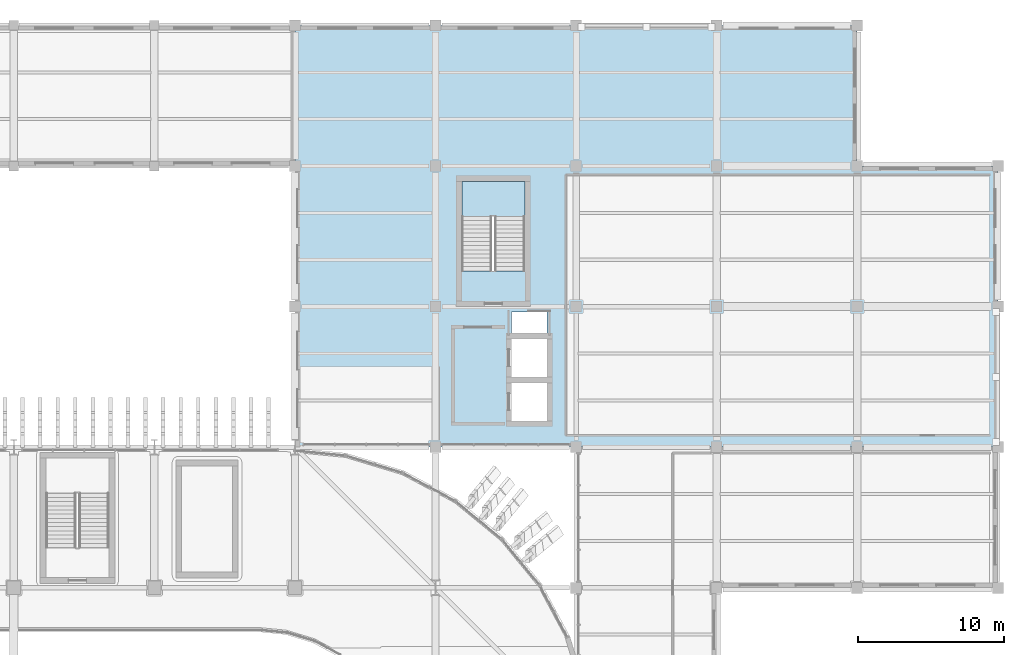
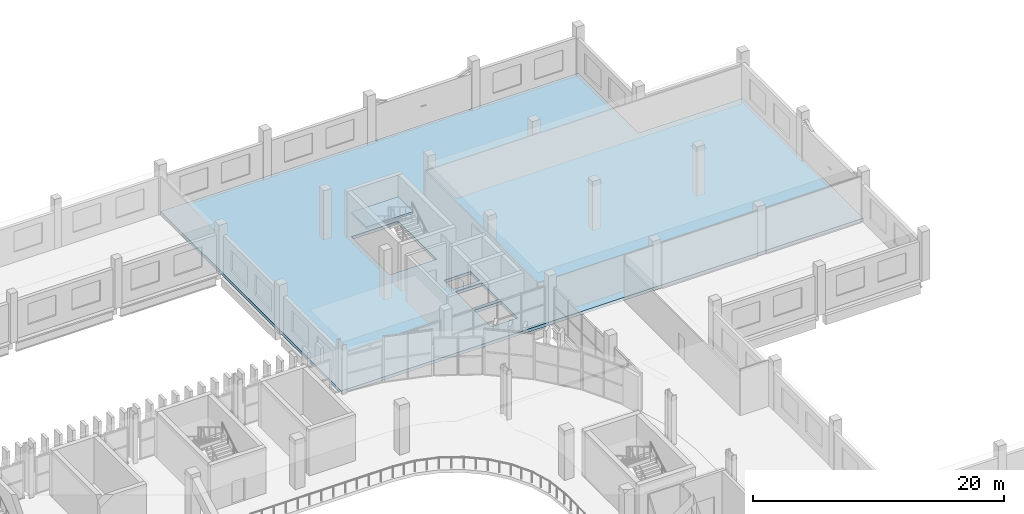
# One storey, part 45 of 100: 2 slabs, 1 element without a shape of its own.
"""IFC4 building model written with IfcOpenShell, lengths in metres."""

from ifc_helpers import new_model, si_unit, direction, frame, origin, place, context, subcontext, project, spatial, polyline, outline, extrude, material, layer, layer_set, type_object, element, aggregate, save


model = new_model("IFC4")

# Units and contexts
model_context = context("Model", 3, precision=1e-05, world=origin(), true_north=direction((0.0, 1.0)))
body_context = subcontext(model_context, "Body", "Model", "MODEL_VIEW")
ifc_project = project(units=[si_unit("LENGTHUNIT", "METRE"), si_unit("AREAUNIT", "SQUARE_METRE"), si_unit("VOLUMEUNIT", "CUBIC_METRE"), si_unit("PLANEANGLEUNIT", "RADIAN"), si_unit("MASSUNIT", "GRAM", prefix="KILO")], contexts=[model_context])

# Site, building, storey
site_placement = place(None, origin())
site = spatial("IfcSite", under=ifc_project, at=site_placement, CompositionType="ELEMENT")
building_placement = place(site_placement, origin())
building = spatial("IfcBuilding", under=site, at=building_placement, Name="Caelomonte Colonnade Arena", CompositionType="ELEMENT")
storey_placement = place(building_placement, origin())
storey = spatial("IfcBuildingStorey", under=building, at=storey_placement, Name="L00", CompositionType="ELEMENT", Elevation=0.0)

# Stair, slab
ifc_material = material(Name="Concrete C40/50", Category="concrete")
stair_type = type_object("IfcStairType", Name="INT-ST-WING48", PredefinedType="HALF_TURN_STAIR", material=ifc_material)
stair_placement = place(storey_placement, origin())
stair = element("IfcStair", 1, at=stair_placement, inside=storey, type_object=stair_type, Name="L00 Core C6 exit stair ST-06", PredefinedType="HALF_TURN_STAIR")
ifc_layer_1 = layer(ifc_material, 0.199951171875)
ifc_layer_set_1 = layer_set([ifc_layer_1], Name="Concrete C40/50")
slab_type_1 = type_object("IfcSlabType", Name="INT-SL-LAND20", PredefinedType="LANDING", material=ifc_layer_set_1)
slab_1_placement = place(storey_placement, frame((0.0, 0.0, 2.199951171875)))
slab_1 = element("IfcSlab", 2, at=slab_1_placement, type_object=slab_type_1, Name="ST-06 landing 1", PredefinedType="LANDING", context=body_context, shape_type="SweptSolid", body=[
    extrude(outline(polyline([(159.699951171875, 130.955078125), (159.699951171875, 133.35009765625), (155.39990234375, 133.35009765625), (155.39990234375, 130.955078125), (159.699951171875, 130.955078125)])), origin(), (0.0, 0.0, 1.0), 0.199951171875),
])
aggregate(stair, [slab_1])

# Slab
ifc_layer_2 = layer(ifc_material, 0.300048828125)
ifc_layer_set_2 = layer_set([ifc_layer_2], Name="Concrete C40/50")
slab_type_2 = type_object("IfcSlabType", Name="STR-SL-FLR30", PredefinedType="FLOOR", material=ifc_layer_set_2)
slab_2_placement = place(storey_placement, frame((0.0, 0.0, -0.300048828125)))
element("IfcSlab", 3, at=slab_2_placement, inside=storey, type_object=slab_type_2, Name="L00 structural floor slab SL-L00-V4-NE", PredefinedType="FLOOR", context=body_context, shape_type="SweptSolid", body=[
    extrude(outline(polyline([(144.0, 115.199951171875), (192.0, 115.199951171875), (192.0, 134.39990234375), (182.39990234375, 134.39990234375), (182.39990234375, 144.0), (144.0, 144.0), (144.0, 115.199951171875)]), holes=[polyline([(158.780029296875, 116.97998046875), (158.780029296875, 119.6201171875), (161.219970703125, 119.6201171875), (161.219970703125, 116.97998046875), (158.780029296875, 116.97998046875)]), polyline([(158.780029296875, 119.97998046875), (158.780029296875, 122.6201171875), (161.219970703125, 122.6201171875), (161.219970703125, 119.97998046875), (158.780029296875, 119.97998046875)]), polyline([(158.780029296875, 124.419921875), (161.219970703125, 124.419921875), (161.219970703125, 122.97998046875), (158.780029296875, 122.97998046875), (158.780029296875, 124.419921875)]), polyline([(155.39990234375, 133.35009765625), (159.699951171875, 133.35009765625), (159.699951171875, 127.25), (155.39990234375, 127.25), (155.39990234375, 133.35009765625)])]), origin(), (0.0, 0.0, 1.0), 0.300048828125),
])

save(model, "model.ifc")
